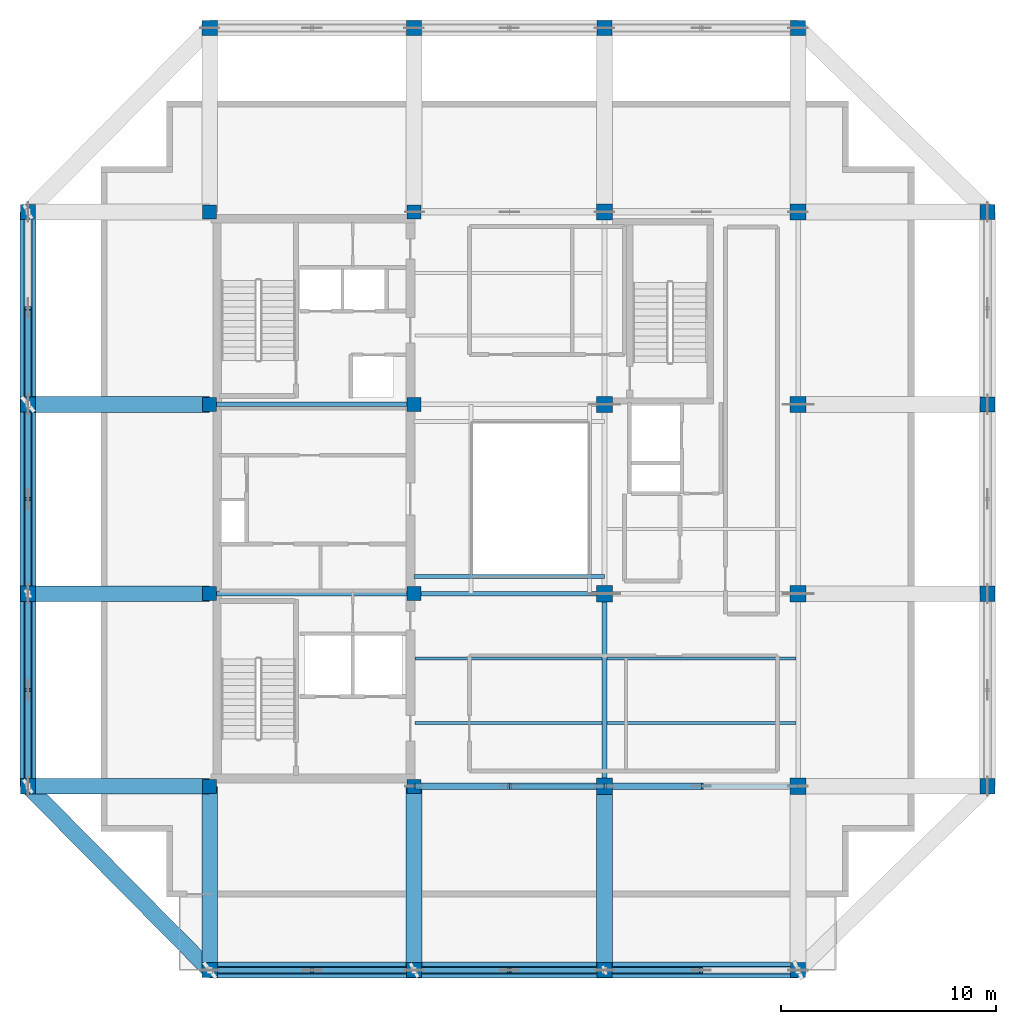
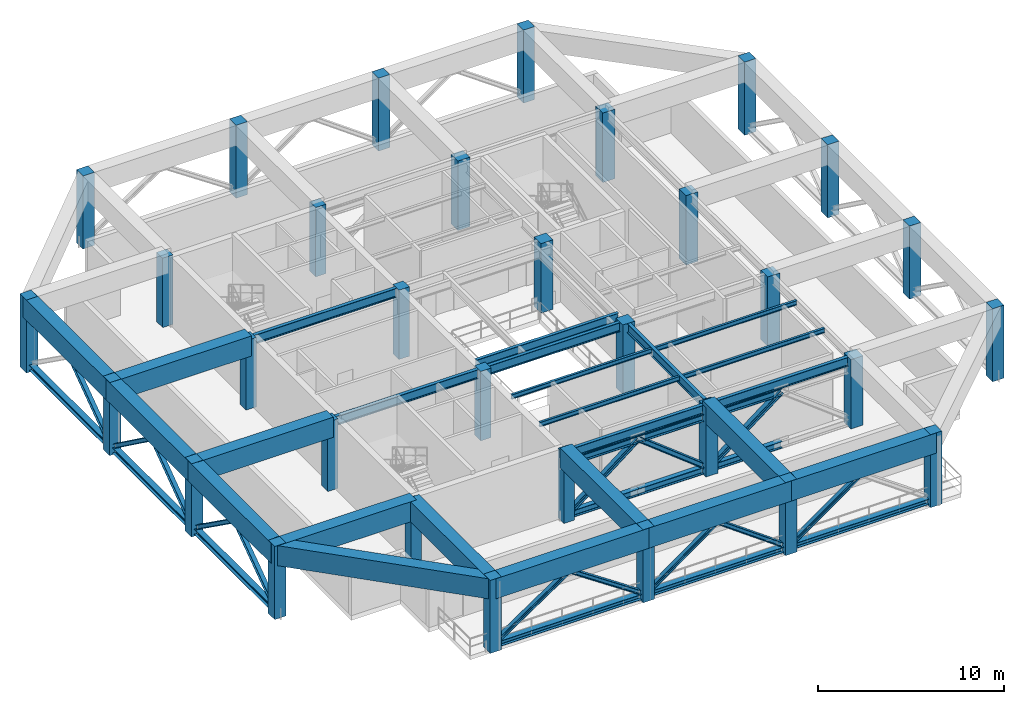
# One storey, part 1 of 10: 32 columns, 25 members, 24 beams.
"""IFC4 building model written with IfcOpenShell, lengths in metres."""

from ifc_helpers import new_model, si_unit, direction, frame, origin, origin_2d, place, context, subcontext, project, spatial, rectangle, i_section, extrude, material, material_profile, profile_set, type_object, element, save


model = new_model("IFC4")

# Units and contexts
model_context = context("Model", 3, precision=1e-05, world=origin(), true_north=direction((0.0, 1.0)))
body_context = subcontext(model_context, "Body", "Model", "MODEL_VIEW")
ifc_project = project(units=[si_unit("LENGTHUNIT", "METRE"), si_unit("AREAUNIT", "SQUARE_METRE"), si_unit("VOLUMEUNIT", "CUBIC_METRE"), si_unit("PLANEANGLEUNIT", "RADIAN"), si_unit("MASSUNIT", "GRAM", prefix="KILO")], contexts=[model_context])

# Site, building, storey
site_placement = place(None, origin())
site = spatial("IfcSite", under=ifc_project, at=site_placement, CompositionType="ELEMENT")
building_placement = place(site_placement, origin())
building = spatial("IfcBuilding", under=site, at=building_placement, Name="Kundavana Baori Tower", CompositionType="ELEMENT")
storey_placement = place(building_placement, frame((0.0, 0.0, 307.699951171875)))
storey = spatial("IfcBuildingStorey", under=building, at=storey_placement, Name="L76", CompositionType="ELEMENT", Elevation=307.699951171875)

# Columns
ifc_material_1 = material(Name="Concrete C50/60", Category="concrete")
ifc_material_profile_1 = material_profile(ifc_material_1, rectangle(XDim=0.699951171875, YDim=0.699951171875, at=origin_2d()), Name="RC PF 700x700")
ifc_profile_set_1 = profile_set([ifc_material_profile_1], Name="Concrete C50/60")
column_type_1 = type_object("IfcColumnType", Name="COL-PF-700", PredefinedType="COLUMN", material=ifc_profile_set_1)
for number, where, z_axis, x_axis, name in (
    (1, (15.449951171875, 6.699951171875, 0.0), (0.0, 0.0, 1.0), (1.0, 0.0, 0.0), "L76 Stone-Clad Perimeter Frame Column PF-S1"),
    (2, (15.449951171875, 50.5, 0.0), (0.0, 0.0, 1.0), (1.0, 0.0, 0.0), "L76 Stone-Clad Perimeter Frame Column PF-N1"),
    (3, (24.949951171875, 6.699951171875, 0.0), (0.0, 0.0, 1.0), (1.0, 0.0, 0.0), "L76 Stone-Clad Perimeter Frame Column PF-S2"),
    (4, (24.949951171875, 50.5, 0.0), (0.0, 0.0, 1.0), (1.0, 0.0, 0.0), "L76 Stone-Clad Perimeter Frame Column PF-N2"),
    (5, (33.800048828125, 6.699951171875, 0.0), (0.0, 0.0, 1.0), (1.0, 0.0, 0.0), "L76 Stone-Clad Perimeter Frame Column PF-S3"),
    (6, (33.800048828125, 50.5, 0.0), (0.0, 0.0, 1.0), (1.0, 0.0, 0.0), "L76 Stone-Clad Perimeter Frame Column PF-N3"),
    (7, (42.800048828125, 6.699951171875, 0.0), (0.0, 0.0, 1.0), (1.0, 0.0, 0.0), "L76 Stone-Clad Perimeter Frame Column PF-S4"),
    (8, (42.800048828125, 50.5, 0.0), (0.0, 0.0, 1.0), (1.0, 0.0, 0.0), "L76 Stone-Clad Perimeter Frame Column PF-N4"),
    (9, (7.0, 15.25, 0.0), (0.0, 0.0, 1.0), (1.0, 0.0, 0.0), "L76 Stone-Clad Perimeter Frame Column PF-W1"),
    (10, (51.60009765625, 15.25, 0.0), (0.0, 0.0, 1.0), (1.0, 0.0, 0.0), "L76 Stone-Clad Perimeter Frame Column PF-E1"),
    (11, (7.0, 24.199951171875, 0.0), (0.0, 0.0, 1.0), (1.0, 0.0, 0.0), "L76 Stone-Clad Perimeter Frame Column PF-W2"),
    (12, (51.60009765625, 24.199951171875, 0.0), (0.0, 0.0, 1.0), (1.0, 0.0, 0.0), "L76 Stone-Clad Perimeter Frame Column PF-E2"),
    (13, (7.0, 33.0, 0.0), (0.0, 0.0, 1.0), (1.0, 0.0, 0.0), "L76 Stone-Clad Perimeter Frame Column PF-W3"),
    (14, (51.60009765625, 33.0, 0.0), (0.0, 0.0, 1.0), (1.0, 0.0, 0.0), "L76 Stone-Clad Perimeter Frame Column PF-E3"),
    (15, (7.0, 41.949951171875, 0.0), (0.0, 0.0, 1.0), (1.0, 0.0, 0.0), "L76 Stone-Clad Perimeter Frame Column PF-W4"),
    (16, (51.60009765625, 41.949951171875, 0.0), (0.0, 0.0, 1.0), (1.0, 0.0, 0.0), "L76 Stone-Clad Perimeter Frame Column PF-E4"),
):
    element("IfcColumn", number, at=place(storey_placement, frame(where, z_axis=z_axis, x_axis=x_axis)), inside=storey, type_object=column_type_1, Name=name, PredefinedType="COLUMN", context=body_context, shape_type="SweptSolid", body=[
        extrude(rectangle(XDim=0.699951171875, YDim=0.699951171875, at=origin_2d()), origin(), (0.0, 0.0, 1.0), 4.800048828125),
    ])
ifc_material_2 = material(Name="Concrete C50/60", Category="concrete")
ifc_material_profile_2 = material_profile(ifc_material_2, rectangle(XDim=0.64990234375, YDim=0.64990234375, at=origin_2d()), Name="RC 650x650")
ifc_profile_set_2 = profile_set([ifc_material_profile_2], Name="Concrete C50/60")
column_type_2 = type_object("IfcColumnType", Name="COL-RC-650", PredefinedType="COLUMN", material=ifc_profile_set_2)
for number, where, z_axis, x_axis, name in (
    (17, (15.449951171875, 15.25, 0.0), (0.0, 0.0, 1.0), (1.0, 0.0, 0.0), "L76 Interior Column IC-3C"),
    (18, (15.449951171875, 24.199951171875, 0.0), (0.0, 0.0, 1.0), (1.0, 0.0, 0.0), "L76 Interior Column IC-3D"),
    (19, (15.449951171875, 33.0, 0.0), (0.0, 0.0, 1.0), (1.0, 0.0, 0.0), "L76 Interior Column IC-3E"),
    (20, (15.449951171875, 41.949951171875, 0.0), (0.0, 0.0, 1.0), (1.0, 0.0, 0.0), "L76 Interior Column IC-3F"),
    (21, (24.949951171875, 15.25, 0.0), (0.0, 0.0, 1.0), (1.0, 0.0, 0.0), "L76 Interior Column IC-4C"),
    (22, (24.949951171875, 24.199951171875, 0.0), (0.0, 0.0, 1.0), (1.0, 0.0, 0.0), "L76 Interior Column IC-4D"),
    (23, (24.949951171875, 33.0, 0.0), (0.0, 0.0, 1.0), (1.0, 0.0, 0.0), "L76 Interior Column IC-4E"),
    (24, (24.949951171875, 41.949951171875, 0.0), (0.0, 0.0, 1.0), (1.0, 0.0, 0.0), "L76 Interior Column IC-4F"),
):
    element("IfcColumn", number, at=place(storey_placement, frame(where, z_axis=z_axis, x_axis=x_axis)), inside=storey, type_object=column_type_2, Name=name, PredefinedType="COLUMN", context=body_context, shape_type="SweptSolid", body=[
        extrude(rectangle(XDim=0.64990234375, YDim=0.64990234375, at=origin_2d()), origin(), (0.0, 0.0, 1.0), 4.56005859375),
    ])
ifc_material_3 = material(Name="Concrete C50/60", Category="concrete")
ifc_material_profile_3 = material_profile(ifc_material_3, rectangle(XDim=0.75, YDim=0.75, at=origin_2d()), Name="RC 750x750")
ifc_profile_set_3 = profile_set([ifc_material_profile_3], Name="Concrete C50/60")
column_type_3 = type_object("IfcColumnType", Name="COL-RC-750", PredefinedType="COLUMN", material=ifc_profile_set_3)
for number, where, z_axis, x_axis, name in (
    (25, (33.800048828125, 15.25, 0.0), (0.0, 0.0, 1.0), (1.0, 0.0, 0.0), "L76 Interior Column IC-5C"),
    (26, (33.800048828125, 24.199951171875, 0.0), (0.0, 0.0, 1.0), (1.0, 0.0, 0.0), "L76 Interior Column IC-5D"),
    (27, (33.800048828125, 33.0, 0.0), (0.0, 0.0, 1.0), (1.0, 0.0, 0.0), "L76 Interior Column IC-5E"),
    (28, (33.800048828125, 41.949951171875, 0.0), (0.0, 0.0, 1.0), (1.0, 0.0, 0.0), "L76 Interior Column IC-5F"),
    (29, (42.800048828125, 15.25, 0.0), (0.0, 0.0, 1.0), (1.0, 0.0, 0.0), "L76 Interior Column IC-6C"),
    (30, (42.800048828125, 24.199951171875, 0.0), (0.0, 0.0, 1.0), (1.0, 0.0, 0.0), "L76 Interior Column IC-6D"),
    (31, (42.800048828125, 33.0, 0.0), (0.0, 0.0, 1.0), (1.0, 0.0, 0.0), "L76 Interior Column IC-6E"),
    (32, (42.800048828125, 41.949951171875, 0.0), (0.0, 0.0, 1.0), (1.0, 0.0, 0.0), "L76 Interior Column IC-6F"),
):
    element("IfcColumn", number, at=place(storey_placement, frame(where, z_axis=z_axis, x_axis=x_axis)), inside=storey, type_object=column_type_3, Name=name, PredefinedType="COLUMN", context=body_context, shape_type="SweptSolid", body=[
        extrude(rectangle(XDim=0.75, YDim=0.75, at=origin_2d()), origin(), (0.0, 0.0, 1.0), 4.56005859375),
    ])

# Beams
ifc_material_4 = material(Name="Structural Steel S355JR", Category="steel")
ifc_material_profile_4 = material_profile(ifc_material_4, i_section(OverallWidth=0.139892578125, OverallDepth=0.300048828125, WebThickness=0.0078125, FlangeThickness=0.01318359375, FilletRadius=0.013916015625, at=origin_2d()), Name="ISMB 300")
ifc_profile_set_4 = profile_set([ifc_material_profile_4], Name="Structural Steel S355JR")
beam_type_1 = type_object("IfcBeamType", Name="BM-RF-300", PredefinedType="BEAM", material=ifc_profile_set_4)
for number, where, z_axis, x_axis, name in (
    (33, (24.97998046875, 18.199951171875, 4.41015625), (1.0, 0.0, 0.0), (0.0, 1.0, 0.0), "L76 Central Bay Composite Floor Joist C1"),
    (34, (24.97998046875, 21.199951171875, 4.41015625), (1.0, 0.0, 0.0), (0.0, 1.0, 0.0), "L76 Central Bay Composite Floor Joist C2"),
):
    element("IfcBeam", number, at=place(storey_placement, frame(where, z_axis=z_axis, x_axis=x_axis)), inside=storey, type_object=beam_type_1, Name=name, PredefinedType="BEAM", context=body_context, shape_type="SweptSolid", body=[
        extrude(i_section(OverallWidth=0.139892578125, OverallDepth=0.300048828125, WebThickness=0.0078125, FlangeThickness=0.01318359375, FilletRadius=0.013916015625, at=origin_2d()), origin(), (0.0, 0.0, 1.0), 8.715087890625),
    ])
for number, where, z_axis, x_axis, name in (
    (35, (33.905029296875, 18.199951171875, 4.41015625), (1.0, 0.0, 0.0), (0.0, 1.0, 0.0), "L76 East Bay Composite Floor Joist E1"),
    (36, (33.905029296875, 21.199951171875, 4.41015625), (1.0, 0.0, 0.0), (0.0, 1.0, 0.0), "L76 East Bay Composite Floor Joist E2"),
):
    element("IfcBeam", number, at=place(storey_placement, frame(where, z_axis=z_axis, x_axis=x_axis)), inside=storey, type_object=beam_type_1, Name=name, PredefinedType="BEAM", context=body_context, shape_type="SweptSolid", body=[
        extrude(i_section(OverallWidth=0.139892578125, OverallDepth=0.300048828125, WebThickness=0.0078125, FlangeThickness=0.01318359375, FilletRadius=0.013916015625, at=origin_2d()), origin(), (0.0, 0.0, 1.0), 8.7900390625),
    ])
ifc_material_5 = material(Name="Structural Steel S355JR", Category="steel")
ifc_material_profile_5 = material_profile(ifc_material_5, i_section(OverallWidth=0.18994140625, OverallDepth=0.550048828125, WebThickness=0.01123046875, FlangeThickness=0.019287109375, FilletRadius=0.01806640625, at=origin_2d()), Name="ISMB 550")
ifc_profile_set_5 = profile_set([ifc_material_profile_5], Name="Structural Steel S355JR")
beam_type_2 = type_object("IfcBeamType", Name="BM-ST-550", PredefinedType="BEAM", material=ifc_profile_set_5)
beam_1_placement = place(storey_placement, frame((24.949951171875, 25.0, 4.28515625), z_axis=(1.0, 0.0, 0.0), x_axis=(0.0, 1.0, 0.0)))
element("IfcBeam", 37, at=beam_1_placement, inside=storey, type_object=beam_type_2, Name="L76 Atrium South Edge Beam", PredefinedType="BEAM", context=body_context, shape_type="SweptSolid", body=[
    extrude(i_section(OverallWidth=0.18994140625, OverallDepth=0.550048828125, WebThickness=0.01123046875, FlangeThickness=0.019287109375, FilletRadius=0.01806640625, at=origin_2d()), origin(), (0.0, 0.0, 1.0), 8.85009765625),
])
ifc_material_6 = material(Name="Structural Steel S355JR", Category="steel")
ifc_material_profile_6 = material_profile(ifc_material_6, i_section(OverallWidth=0.2099609375, OverallDepth=0.60009765625, WebThickness=0.011962890625, FlangeThickness=0.020751953125, FilletRadius=0.02001953125, at=origin_2d()), Name="ISMB 600")
ifc_profile_set_6 = profile_set([ifc_material_profile_6], Name="Structural Steel S355JR")
beam_type_3 = type_object("IfcBeamType", Name="BM-ST-600", PredefinedType="BEAM", material=ifc_profile_set_6)
beam_2_placement = place(storey_placement, frame((24.949951171875, 15.25, 4.260009765625), z_axis=(1.0, 0.0, 0.0), x_axis=(0.0, 1.0, 0.0)))
element("IfcBeam", 38, at=beam_2_placement, inside=storey, type_object=beam_type_3, Name="L76 Primary Grid Girder GX-1-2", PredefinedType="BEAM", context=body_context, shape_type="SweptSolid", body=[
    extrude(i_section(OverallWidth=0.2099609375, OverallDepth=0.60009765625, WebThickness=0.011962890625, FlangeThickness=0.020751953125, FilletRadius=0.02001953125, at=origin_2d()), origin(), (0.0, 0.0, 1.0), 8.85009765625),
])
beam_3_placement = place(storey_placement, frame((33.800048828125, 15.25, 4.260009765625), z_axis=(1.0, 0.0, 0.0), x_axis=(0.0, 1.0, 0.0)))
element("IfcBeam", 39, at=beam_3_placement, inside=storey, type_object=beam_type_3, Name="L76 Primary Grid Girder GX-1-3", PredefinedType="BEAM", context=body_context, shape_type="SweptSolid", body=[
    extrude(i_section(OverallWidth=0.2099609375, OverallDepth=0.60009765625, WebThickness=0.011962890625, FlangeThickness=0.020751953125, FilletRadius=0.02001953125, at=origin_2d()), origin(), (0.0, 0.0, 1.0), 9.0),
])
beam_4_placement = place(storey_placement, frame((15.449951171875, 24.199951171875, 4.260009765625), z_axis=(1.0, 0.0, 0.0), x_axis=(0.0, 1.0, 0.0)))
element("IfcBeam", 40, at=beam_4_placement, inside=storey, type_object=beam_type_3, Name="L76 Primary Grid Girder GX-2-1", PredefinedType="BEAM", context=body_context, shape_type="SweptSolid", body=[
    extrude(i_section(OverallWidth=0.2099609375, OverallDepth=0.60009765625, WebThickness=0.011962890625, FlangeThickness=0.020751953125, FilletRadius=0.02001953125, at=origin_2d()), origin(), (0.0, 0.0, 1.0), 9.5),
])
beam_5_placement = place(storey_placement, frame((24.949951171875, 24.199951171875, 4.260009765625), z_axis=(1.0, 0.0, 0.0), x_axis=(0.0, 1.0, 0.0)))
element("IfcBeam", 41, at=beam_5_placement, inside=storey, type_object=beam_type_3, Name="L76 Primary Grid Girder GX-2-2", PredefinedType="BEAM", context=body_context, shape_type="SweptSolid", body=[
    extrude(i_section(OverallWidth=0.2099609375, OverallDepth=0.60009765625, WebThickness=0.011962890625, FlangeThickness=0.020751953125, FilletRadius=0.02001953125, at=origin_2d()), origin(), (0.0, 0.0, 1.0), 8.85009765625),
])
beam_6_placement = place(storey_placement, frame((15.449951171875, 33.0, 4.260009765625), z_axis=(1.0, 0.0, 0.0), x_axis=(0.0, 1.0, 0.0)))
element("IfcBeam", 42, at=beam_6_placement, inside=storey, type_object=beam_type_3, Name="L76 Primary Grid Girder GX-3-1", PredefinedType="BEAM", context=body_context, shape_type="SweptSolid", body=[
    extrude(i_section(OverallWidth=0.2099609375, OverallDepth=0.60009765625, WebThickness=0.011962890625, FlangeThickness=0.020751953125, FilletRadius=0.02001953125, at=origin_2d()), origin(), (0.0, 0.0, 1.0), 9.5),
])
beam_7_placement = place(storey_placement, frame((33.800048828125, 15.25, 4.260009765625), z_axis=(0.0, 1.0, 0.0), x_axis=(-1.0, 0.0, 0.0)))
element("IfcBeam", 43, at=beam_7_placement, inside=storey, type_object=beam_type_3, Name="L76 Primary Grid Girder GY-3-1", PredefinedType="BEAM", context=body_context, shape_type="SweptSolid", body=[
    extrude(i_section(OverallWidth=0.2099609375, OverallDepth=0.60009765625, WebThickness=0.011962890625, FlangeThickness=0.020751953125, FilletRadius=0.02001953125, at=origin_2d()), origin(), (0.0, 0.0, 1.0), 8.949951171875),
])
ifc_material_7 = material(Name="Concrete C50/60", Category="concrete")
ifc_material_profile_7 = material_profile(ifc_material_7, rectangle(XDim=0.739990234375, YDim=1.320068359375, at=origin_2d()), Name="BM-TG-5")
ifc_profile_set_7 = profile_set([ifc_material_profile_7], Name="Concrete C50/60")
beam_type_4 = type_object("IfcBeamType", Name="BM-TG-5", PredefinedType="USERDEFINED", material=ifc_profile_set_7)
beam_8_placement = place(storey_placement, frame((15.449951171875, 6.699951171875, 4.14013671875), z_axis=(1.0, 0.0, 0.0), x_axis=(0.0, 1.0, 0.0)))
element("IfcBeam", 44, at=beam_8_placement, inside=storey, type_object=beam_type_4, Name="L76 Perimeter Frame Ring Beam S1", ObjectType="TRANSFER GIRDER", PredefinedType="USERDEFINED", context=body_context, shape_type="SweptSolid", body=[
    extrude(rectangle(XDim=0.739990234375, YDim=1.320068359375, at=origin_2d()), origin(), (0.0, 0.0, 1.0), 9.5),
])
beam_9_placement = place(storey_placement, frame((24.949951171875, 6.699951171875, 4.14013671875), z_axis=(1.0, 0.0, 0.0), x_axis=(0.0, 1.0, 0.0)))
element("IfcBeam", 45, at=beam_9_placement, inside=storey, type_object=beam_type_4, Name="L76 Perimeter Frame Ring Beam S2", ObjectType="TRANSFER GIRDER", PredefinedType="USERDEFINED", context=body_context, shape_type="SweptSolid", body=[
    extrude(rectangle(XDim=0.739990234375, YDim=1.320068359375, at=origin_2d()), origin(), (0.0, 0.0, 1.0), 8.85009765625),
])
beam_10_placement = place(storey_placement, frame((33.800048828125, 6.699951171875, 4.14013671875), z_axis=(1.0, 0.0, 0.0), x_axis=(0.0, 1.0, 0.0)))
element("IfcBeam", 46, at=beam_10_placement, inside=storey, type_object=beam_type_4, Name="L76 Perimeter Frame Ring Beam S3", ObjectType="TRANSFER GIRDER", PredefinedType="USERDEFINED", context=body_context, shape_type="SweptSolid", body=[
    extrude(rectangle(XDim=0.739990234375, YDim=1.320068359375, at=origin_2d()), origin(), (0.0, 0.0, 1.0), 9.0),
])
beam_11_placement = place(storey_placement, frame((7.0, 15.25, 4.14013671875), z_axis=(0.0, 1.0, 0.0), x_axis=(-1.0, 0.0, 0.0)))
element("IfcBeam", 47, at=beam_11_placement, inside=storey, type_object=beam_type_4, Name="L76 Perimeter Frame Ring Beam W1", ObjectType="TRANSFER GIRDER", PredefinedType="USERDEFINED", context=body_context, shape_type="SweptSolid", body=[
    extrude(rectangle(XDim=0.739990234375, YDim=1.320068359375, at=origin_2d()), origin(), (0.0, 0.0, 1.0), 8.949951171875),
])
beam_12_placement = place(storey_placement, frame((7.0, 24.199951171875, 4.14013671875), z_axis=(0.0, 1.0, 0.0), x_axis=(-1.0, 0.0, 0.0)))
element("IfcBeam", 48, at=beam_12_placement, inside=storey, type_object=beam_type_4, Name="L76 Perimeter Frame Ring Beam W2", ObjectType="TRANSFER GIRDER", PredefinedType="USERDEFINED", context=body_context, shape_type="SweptSolid", body=[
    extrude(rectangle(XDim=0.739990234375, YDim=1.320068359375, at=origin_2d()), origin(), (0.0, 0.0, 1.0), 8.800048828125),
])
beam_13_placement = place(storey_placement, frame((7.0, 33.0, 4.14013671875), z_axis=(0.0, 1.0, 0.0), x_axis=(-1.0, 0.0, 0.0)))
element("IfcBeam", 49, at=beam_13_placement, inside=storey, type_object=beam_type_4, Name="L76 Perimeter Frame Ring Beam W3", ObjectType="TRANSFER GIRDER", PredefinedType="USERDEFINED", context=body_context, shape_type="SweptSolid", body=[
    extrude(rectangle(XDim=0.739990234375, YDim=1.320068359375, at=origin_2d()), origin(), (0.0, 0.0, 1.0), 8.949951171875),
])
beam_14_placement = place(storey_placement, frame((15.449951171875, 6.699951171875, 4.14013671875), z_axis=(-0.702931082472, 0.711257965365, 0.0), x_axis=(-0.711257965365, -0.702931082472, 0.0)))
element("IfcBeam", 50, at=beam_14_placement, inside=storey, type_object=beam_type_4, Name="L76 Notched Corner Perimeter Beam SW", ObjectType="TRANSFER GIRDER", PredefinedType="USERDEFINED", context=body_context, shape_type="SweptSolid", body=[
    extrude(rectangle(XDim=0.739990234375, YDim=1.320068359375, at=origin_2d()), origin(), (0.0, 0.0, 1.0), 12.02099609375),
])
for number, where, z_axis, x_axis, name in (
    (51, (15.449951171875, 15.25, 4.14013671875), (0.0, -1.0, 0.0), (1.0, 0.0, 0.0), "L76 South Radial Transfer Girder S1"),
    (52, (24.949951171875, 15.25, 4.14013671875), (0.0, -1.0, 0.0), (1.0, 0.0, 0.0), "L76 South Radial Transfer Girder S2"),
    (53, (33.800048828125, 15.25, 4.14013671875), (0.0, -1.0, 0.0), (1.0, 0.0, 0.0), "L76 South Radial Transfer Girder S3"),
):
    element("IfcBeam", number, at=place(storey_placement, frame(where, z_axis=z_axis, x_axis=x_axis)), inside=storey, type_object=beam_type_4, Name=name, ObjectType="TRANSFER GIRDER", PredefinedType="USERDEFINED", context=body_context, shape_type="SweptSolid", body=[
        extrude(rectangle(XDim=0.739990234375, YDim=1.320068359375, at=origin_2d()), origin(), (0.0, 0.0, 1.0), 8.550048828125),
    ])
for number, where, z_axis, x_axis, name in (
    (54, (15.449951171875, 15.25, 4.14013671875), (-1.0, 0.0, 0.0), (0.0, -1.0, 0.0), "L76 West Radial Transfer Girder W1"),
    (55, (15.449951171875, 24.199951171875, 4.14013671875), (-1.0, 0.0, 0.0), (0.0, -1.0, 0.0), "L76 West Radial Transfer Girder W2"),
    (56, (15.449951171875, 33.0, 4.14013671875), (-1.0, 0.0, 0.0), (0.0, -1.0, 0.0), "L76 West Radial Transfer Girder W3"),
):
    element("IfcBeam", number, at=place(storey_placement, frame(where, z_axis=z_axis, x_axis=x_axis)), inside=storey, type_object=beam_type_4, Name=name, ObjectType="TRANSFER GIRDER", PredefinedType="USERDEFINED", context=body_context, shape_type="SweptSolid", body=[
        extrude(rectangle(XDim=0.739990234375, YDim=1.320068359375, at=origin_2d()), origin(), (0.0, 0.0, 1.0), 8.449951171875),
    ])

# Members
ifc_material_8 = material(Name="Structural Steel S355JR", Category="steel")
ifc_material_profile_8 = material_profile(ifc_material_8, i_section(OverallWidth=0.360107421875, OverallDepth=0.360107421875, WebThickness=0.012451171875, FlangeThickness=0.0224609375, FilletRadius=0.02392578125, at=origin_2d()), Name="WPB 360x360x142")
ifc_profile_set_8 = profile_set([ifc_material_profile_8], Name="Structural Steel S355JR")
member_type_1 = type_object("IfcMemberType", Name="MEM-BT-CH360", PredefinedType="CHORD", material=ifc_profile_set_8)
member_1_placement = place(storey_placement, frame((15.449951171875, 6.699951171875, 0.280029296875), z_axis=(1.0, 0.0, 0.0), x_axis=(0.0, 1.0, 0.0)))
element("IfcMember", 57, at=member_1_placement, inside=storey, type_object=member_type_1, Name="L76 Perimeter Belt Truss Bottom Chord S1", PredefinedType="CHORD", context=body_context, shape_type="SweptSolid", body=[
    extrude(i_section(OverallWidth=0.360107421875, OverallDepth=0.360107421875, WebThickness=0.012451171875, FlangeThickness=0.0224609375, FilletRadius=0.02392578125, at=origin_2d()), origin(), (0.0, 0.0, 1.0), 9.5),
])
member_2_placement = place(storey_placement, frame((24.949951171875, 6.699951171875, 0.280029296875), z_axis=(1.0, 0.0, 0.0), x_axis=(0.0, 1.0, 0.0)))
element("IfcMember", 58, at=member_2_placement, inside=storey, type_object=member_type_1, Name="L76 Perimeter Belt Truss Bottom Chord S2", PredefinedType="CHORD", context=body_context, shape_type="SweptSolid", body=[
    extrude(i_section(OverallWidth=0.360107421875, OverallDepth=0.360107421875, WebThickness=0.012451171875, FlangeThickness=0.0224609375, FilletRadius=0.02392578125, at=origin_2d()), origin(), (0.0, 0.0, 1.0), 8.85009765625),
])
member_3_placement = place(storey_placement, frame((33.800048828125, 6.699951171875, 0.280029296875), z_axis=(1.0, 0.0, 0.0), x_axis=(0.0, 1.0, 0.0)))
element("IfcMember", 59, at=member_3_placement, inside=storey, type_object=member_type_1, Name="L76 Perimeter Belt Truss Bottom Chord S3", PredefinedType="CHORD", context=body_context, shape_type="SweptSolid", body=[
    extrude(i_section(OverallWidth=0.360107421875, OverallDepth=0.360107421875, WebThickness=0.012451171875, FlangeThickness=0.0224609375, FilletRadius=0.02392578125, at=origin_2d()), origin(), (0.0, 0.0, 1.0), 9.0),
])
member_4_placement = place(storey_placement, frame((7.0, 15.25, 0.280029296875), z_axis=(0.0, 1.0, 0.0), x_axis=(-1.0, 0.0, 0.0)))
element("IfcMember", 60, at=member_4_placement, inside=storey, type_object=member_type_1, Name="L76 Perimeter Belt Truss Bottom Chord W1", PredefinedType="CHORD", context=body_context, shape_type="SweptSolid", body=[
    extrude(i_section(OverallWidth=0.360107421875, OverallDepth=0.360107421875, WebThickness=0.012451171875, FlangeThickness=0.0224609375, FilletRadius=0.02392578125, at=origin_2d()), origin(), (0.0, 0.0, 1.0), 8.949951171875),
])
member_5_placement = place(storey_placement, frame((7.0, 24.199951171875, 0.280029296875), z_axis=(0.0, 1.0, 0.0), x_axis=(-1.0, 0.0, 0.0)))
element("IfcMember", 61, at=member_5_placement, inside=storey, type_object=member_type_1, Name="L76 Perimeter Belt Truss Bottom Chord W2", PredefinedType="CHORD", context=body_context, shape_type="SweptSolid", body=[
    extrude(i_section(OverallWidth=0.360107421875, OverallDepth=0.360107421875, WebThickness=0.012451171875, FlangeThickness=0.0224609375, FilletRadius=0.02392578125, at=origin_2d()), origin(), (0.0, 0.0, 1.0), 8.800048828125),
])
member_6_placement = place(storey_placement, frame((7.0, 33.0, 0.280029296875), z_axis=(0.0, 1.0, 0.0), x_axis=(-1.0, 0.0, 0.0)))
element("IfcMember", 62, at=member_6_placement, inside=storey, type_object=member_type_1, Name="L76 Perimeter Belt Truss Bottom Chord W3", PredefinedType="CHORD", context=body_context, shape_type="SweptSolid", body=[
    extrude(i_section(OverallWidth=0.360107421875, OverallDepth=0.360107421875, WebThickness=0.012451171875, FlangeThickness=0.0224609375, FilletRadius=0.02392578125, at=origin_2d()), origin(), (0.0, 0.0, 1.0), 8.949951171875),
])
ifc_material_9 = material(Name="Structural Steel S355JR", Category="steel")
ifc_material_profile_9 = material_profile(ifc_material_9, i_section(OverallWidth=0.260009765625, OverallDepth=0.260009765625, WebThickness=0.010009765625, FlangeThickness=0.017578125, FilletRadius=0.02392578125, at=origin_2d()), Name="WPB 260x260x93")
ifc_profile_set_9 = profile_set([ifc_material_profile_9], Name="Structural Steel S355JR")
member_type_2 = type_object("IfcMemberType", Name="MEM-BT-DG260", PredefinedType="BRACE", material=ifc_profile_set_9)
for number, where, z_axis, x_axis, name in (
    (63, (15.449951171875, 6.699951171875, 0.280029296875), (0.829358320844, 0.0, 0.558717080145), (0.0, 1.0, 0.0), "L76 Perimeter Belt Truss Diagonal S1A"),
    (64, (24.949951171875, 6.699951171875, 0.280029296875), (-0.829358320844, 0.0, 0.558717080145), (0.0, -1.0, 0.0), "L76 Perimeter Belt Truss Diagonal S1B"),
):
    element("IfcMember", number, at=place(storey_placement, frame(where, z_axis=z_axis, x_axis=x_axis)), inside=storey, type_object=member_type_2, Name=name, PredefinedType="BRACE", context=body_context, shape_type="SweptSolid", body=[
        extrude(i_section(OverallWidth=0.260009765625, OverallDepth=0.260009765625, WebThickness=0.010009765625, FlangeThickness=0.017578125, FilletRadius=0.02392578125, at=origin_2d()), origin(), (0.0, 0.0, 1.0), 5.727294921875),
    ])
for number, where, z_axis, x_axis, name in (
    (65, (24.949951171875, 6.699951171875, 0.280029296875), (0.810324230384, 0.0, 0.58598177587), (0.0, 1.0, 0.0), "L76 Perimeter Belt Truss Diagonal S2A"),
    (66, (33.800048828125, 6.699951171875, 0.280029296875), (-0.810324230384, 0.0, 0.58598177587), (0.0, -1.0, 0.0), "L76 Perimeter Belt Truss Diagonal S2B"),
):
    element("IfcMember", number, at=place(storey_placement, frame(where, z_axis=z_axis, x_axis=x_axis)), inside=storey, type_object=member_type_2, Name=name, PredefinedType="BRACE", context=body_context, shape_type="SweptSolid", body=[
        extrude(i_section(OverallWidth=0.260009765625, OverallDepth=0.260009765625, WebThickness=0.010009765625, FlangeThickness=0.017578125, FilletRadius=0.02392578125, at=origin_2d()), origin(), (0.0, 0.0, 1.0), 5.4609375),
    ])
member_7_placement = place(storey_placement, frame((33.800048828125, 6.699951171875, 0.280029296875), z_axis=(0.814959500914, 0.0, 0.579517913329), x_axis=(0.0, 1.0, 0.0)))
element("IfcMember", 67, at=member_7_placement, inside=storey, type_object=member_type_2, Name="L76 Perimeter Belt Truss Diagonal S3A", PredefinedType="BRACE", context=body_context, shape_type="SweptSolid", body=[
    extrude(i_section(OverallWidth=0.260009765625, OverallDepth=0.260009765625, WebThickness=0.010009765625, FlangeThickness=0.017578125, FilletRadius=0.02392578125, at=origin_2d()), origin(), (0.0, 0.0, 1.0), 5.521728515625),
])
member_8_placement = place(storey_placement, frame((7.0, 15.25, 0.280029296875), z_axis=(0.0, 0.813436516706, 0.581653705644), x_axis=(-1.0, 0.0, 0.0)))
element("IfcMember", 68, at=member_8_placement, inside=storey, type_object=member_type_2, Name="L76 Perimeter Belt Truss Diagonal W1A", PredefinedType="BRACE", context=body_context, shape_type="SweptSolid", body=[
    extrude(i_section(OverallWidth=0.260009765625, OverallDepth=0.260009765625, WebThickness=0.010009765625, FlangeThickness=0.017578125, FilletRadius=0.02392578125, at=origin_2d()), origin(), (0.0, 0.0, 1.0), 5.50146484375),
])
member_9_placement = place(storey_placement, frame((7.0, 24.199951171875, 0.280029296875), z_axis=(0.0, -0.813421502107, 0.581674702827), x_axis=(1.0, 0.0, 0.0)))
element("IfcMember", 69, at=member_9_placement, inside=storey, type_object=member_type_2, Name="L76 Perimeter Belt Truss Diagonal W1B", PredefinedType="BRACE", context=body_context, shape_type="SweptSolid", body=[
    extrude(i_section(OverallWidth=0.260009765625, OverallDepth=0.260009765625, WebThickness=0.010009765625, FlangeThickness=0.017578125, FilletRadius=0.02392578125, at=origin_2d()), origin(), (0.0, 0.0, 1.0), 5.501220703125),
])
member_10_placement = place(storey_placement, frame((7.0, 24.199951171875, 0.280029296875), z_axis=(0.0, 0.808749667326, 0.588153020565), x_axis=(-1.0, 0.0, 0.0)))
element("IfcMember", 70, at=member_10_placement, inside=storey, type_object=member_type_2, Name="L76 Perimeter Belt Truss Diagonal W2A", PredefinedType="BRACE", context=body_context, shape_type="SweptSolid", body=[
    extrude(i_section(OverallWidth=0.260009765625, OverallDepth=0.260009765625, WebThickness=0.010009765625, FlangeThickness=0.017578125, FilletRadius=0.02392578125, at=origin_2d()), origin(), (0.0, 0.0, 1.0), 5.440673828125),
])
member_11_placement = place(storey_placement, frame((7.0, 33.0, 0.280029296875), z_axis=(0.0, -0.808734143766, 0.588174365905), x_axis=(1.0, 0.0, 0.0)))
element("IfcMember", 71, at=member_11_placement, inside=storey, type_object=member_type_2, Name="L76 Perimeter Belt Truss Diagonal W2B", PredefinedType="BRACE", context=body_context, shape_type="SweptSolid", body=[
    extrude(i_section(OverallWidth=0.260009765625, OverallDepth=0.260009765625, WebThickness=0.010009765625, FlangeThickness=0.017578125, FilletRadius=0.02392578125, at=origin_2d()), origin(), (0.0, 0.0, 1.0), 5.4404296875),
])
member_12_placement = place(storey_placement, frame((7.0, 33.0, 0.280029296875), z_axis=(0.0, 0.813436516706, 0.581653705644), x_axis=(-1.0, 0.0, 0.0)))
element("IfcMember", 72, at=member_12_placement, inside=storey, type_object=member_type_2, Name="L76 Perimeter Belt Truss Diagonal W3A", PredefinedType="BRACE", context=body_context, shape_type="SweptSolid", body=[
    extrude(i_section(OverallWidth=0.260009765625, OverallDepth=0.260009765625, WebThickness=0.010009765625, FlangeThickness=0.017578125, FilletRadius=0.02392578125, at=origin_2d()), origin(), (0.0, 0.0, 1.0), 5.50146484375),
])
ifc_material_10 = material(Name="Structural Steel S355JR", Category="steel")
ifc_material_profile_10 = material_profile(ifc_material_10, i_section(OverallWidth=0.300048828125, OverallDepth=0.449951171875, WebThickness=0.013916015625, FlangeThickness=0.02587890625, FilletRadius=0.02392578125, at=origin_2d()), Name="WPB 450x300x142")
ifc_profile_set_10 = profile_set([ifc_material_profile_10], Name="Structural Steel S355JR")
member_type_3 = type_object("IfcMemberType", Name="MEM-OT-CH450", PredefinedType="CHORD", material=ifc_profile_set_10)
member_13_placement = place(storey_placement, frame((24.97998046875, 15.25, 0.280029296875), z_axis=(1.0, 0.0, 0.0), x_axis=(0.0, 1.0, 0.0)))
element("IfcMember", 73, at=member_13_placement, inside=storey, type_object=member_type_3, Name="L76 Outrigger Truss OT1 Bottom Chord 1A", PredefinedType="CHORD", context=body_context, shape_type="SweptSolid", body=[
    extrude(i_section(OverallWidth=0.300048828125, OverallDepth=0.449951171875, WebThickness=0.013916015625, FlangeThickness=0.02587890625, FilletRadius=0.02392578125, at=origin_2d()), origin(), (0.0, 0.0, 1.0), 4.409912109375),
])
member_14_placement = place(storey_placement, frame((29.389892578125, 15.25, 0.280029296875), z_axis=(1.0, 0.0, 0.0), x_axis=(0.0, 1.0, 0.0)))
element("IfcMember", 74, at=member_14_placement, inside=storey, type_object=member_type_3, Name="L76 Outrigger Truss OT1 Bottom Chord 1B", PredefinedType="CHORD", context=body_context, shape_type="SweptSolid", body=[
    extrude(i_section(OverallWidth=0.300048828125, OverallDepth=0.449951171875, WebThickness=0.013916015625, FlangeThickness=0.02587890625, FilletRadius=0.02392578125, at=origin_2d()), origin(), (0.0, 0.0, 1.0), 4.41015625),
])
member_15_placement = place(storey_placement, frame((24.97998046875, 15.25, 3.735107421875), z_axis=(1.0, 0.0, 0.0), x_axis=(0.0, 1.0, 0.0)))
element("IfcMember", 75, at=member_15_placement, inside=storey, type_object=member_type_3, Name="L76 Outrigger Truss OT1 Top Chord 1A", PredefinedType="CHORD", context=body_context, shape_type="SweptSolid", body=[
    extrude(i_section(OverallWidth=0.300048828125, OverallDepth=0.449951171875, WebThickness=0.013916015625, FlangeThickness=0.02587890625, FilletRadius=0.02392578125, at=origin_2d()), origin(), (0.0, 0.0, 1.0), 4.409912109375),
])
member_16_placement = place(storey_placement, frame((29.389892578125, 15.25, 3.735107421875), z_axis=(1.0, 0.0, 0.0), x_axis=(0.0, 1.0, 0.0)))
element("IfcMember", 76, at=member_16_placement, inside=storey, type_object=member_type_3, Name="L76 Outrigger Truss OT1 Top Chord 1B", PredefinedType="CHORD", context=body_context, shape_type="SweptSolid", body=[
    extrude(i_section(OverallWidth=0.300048828125, OverallDepth=0.449951171875, WebThickness=0.013916015625, FlangeThickness=0.02587890625, FilletRadius=0.02392578125, at=origin_2d()), origin(), (0.0, 0.0, 1.0), 4.41015625),
])
for number, where, z_axis, x_axis, name in (
    (77, (33.800048828125, 15.25, 0.280029296875), (1.0, 0.0, 0.0), (0.0, 1.0, 0.0), "L76 Outrigger Truss OT1 Bottom Chord 2A"),
    (78, (33.800048828125, 15.25, 3.735107421875), (1.0, 0.0, 0.0), (0.0, 1.0, 0.0), "L76 Outrigger Truss OT1 Top Chord 2A"),
):
    element("IfcMember", number, at=place(storey_placement, frame(where, z_axis=z_axis, x_axis=x_axis)), inside=storey, type_object=member_type_3, Name=name, PredefinedType="CHORD", context=body_context, shape_type="SweptSolid", body=[
        extrude(i_section(OverallWidth=0.300048828125, OverallDepth=0.449951171875, WebThickness=0.013916015625, FlangeThickness=0.02587890625, FilletRadius=0.02392578125, at=origin_2d()), origin(), (0.0, 0.0, 1.0), 4.5),
    ])
ifc_material_11 = material(Name="Structural Steel S355JR", Category="steel")
ifc_material_profile_11 = material_profile(ifc_material_11, i_section(OverallWidth=0.300048828125, OverallDepth=0.300048828125, WebThickness=0.010986328125, FlangeThickness=0.01904296875, FilletRadius=0.02392578125, at=origin_2d()), Name="WPB 300x300x117")
ifc_profile_set_11 = profile_set([ifc_material_profile_11], Name="Structural Steel S355JR")
member_type_4 = type_object("IfcMemberType", Name="MEM-OT-DG300", PredefinedType="BRACE", material=ifc_profile_set_11)
for number, where, z_axis, x_axis, name in (
    (79, (24.97998046875, 15.25, 0.280029296875), (0.78717198766, 0.0, 0.616733542012), (0.0, 1.0, 0.0), "L76 Outrigger Truss OT1 Diagonal 1A"),
    (80, (33.800048828125, 15.25, 0.280029296875), (-0.787188562622, 0.0, 0.616712385863), (0.0, -1.0, 0.0), "L76 Outrigger Truss OT1 Diagonal 1B"),
):
    element("IfcMember", number, at=place(storey_placement, frame(where, z_axis=z_axis, x_axis=x_axis)), inside=storey, type_object=member_type_4, Name=name, PredefinedType="BRACE", context=body_context, shape_type="SweptSolid", body=[
        extrude(i_section(OverallWidth=0.300048828125, OverallDepth=0.300048828125, WebThickness=0.010986328125, FlangeThickness=0.01904296875, FilletRadius=0.02392578125, at=origin_2d()), origin(), (0.0, 0.0, 1.0), 5.602294921875),
    ])
member_17_placement = place(storey_placement, frame((33.800048828125, 15.25, 0.280029296875), z_axis=(0.793173969606, 0.0, 0.608995118157), x_axis=(0.0, 1.0, 0.0)))
element("IfcMember", 81, at=member_17_placement, inside=storey, type_object=member_type_4, Name="L76 Outrigger Truss OT1 Diagonal 2A", PredefinedType="BRACE", context=body_context, shape_type="SweptSolid", body=[
    extrude(i_section(OverallWidth=0.300048828125, OverallDepth=0.300048828125, WebThickness=0.010986328125, FlangeThickness=0.01904296875, FilletRadius=0.02392578125, at=origin_2d()), origin(), (0.0, 0.0, 1.0), 5.67333984375),
])

save(model, "model.ifc")
